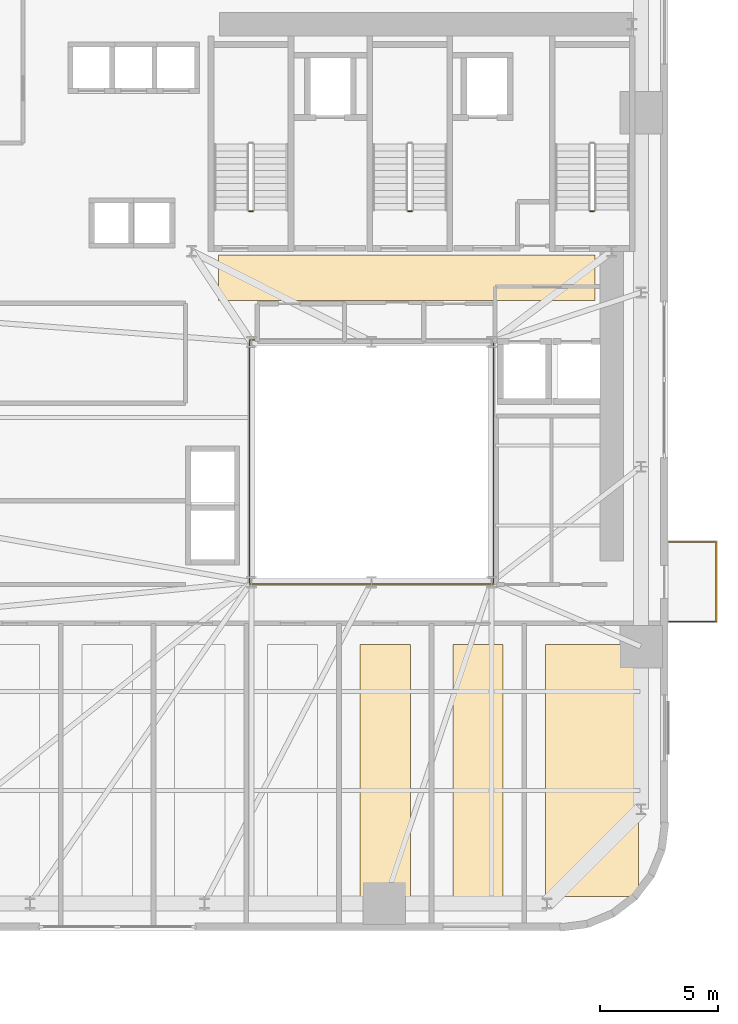
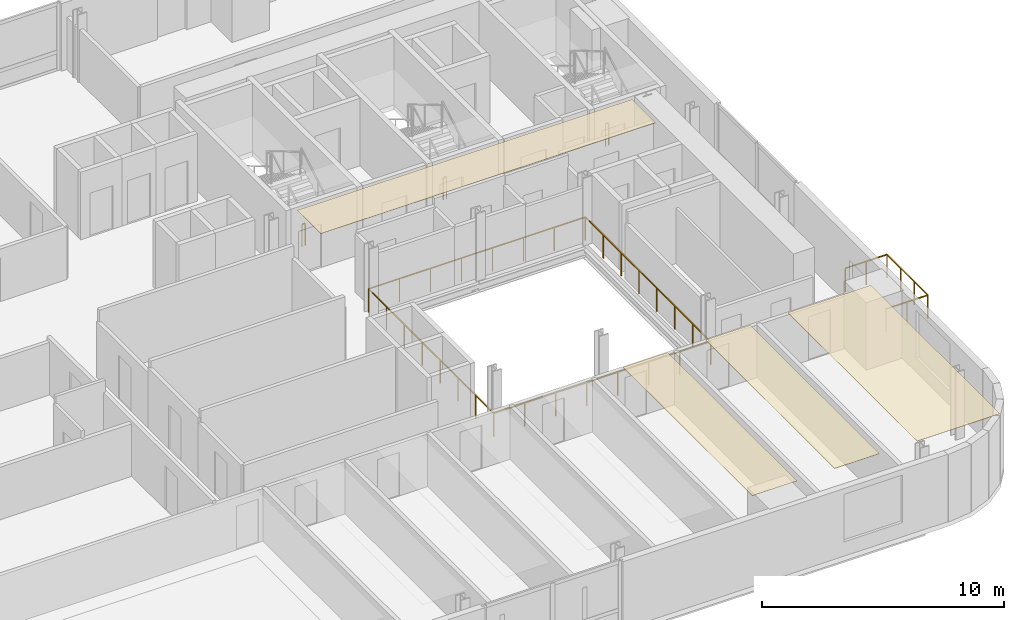
# One storey, part 11 of 13: 5 railings, 4 coverings.
"""IFC4 building model written with IfcOpenShell, lengths in metres."""

from ifc_helpers import new_model, si_unit, direction, frame, origin, origin_2d, place, context, subcontext, project, spatial, polyline, rectangle, outline, extrude, source, transform, mapped, material, layer, layer_set, type_object, element, save


model = new_model("IFC4")

# Units and contexts
model_context = context("Model", 3, precision=1e-05, world=origin(), true_north=direction((0.0, 1.0)))
body_context = subcontext(model_context, "Body", "Model", "MODEL_VIEW")
ifc_project = project(units=[si_unit("LENGTHUNIT", "METRE"), si_unit("AREAUNIT", "SQUARE_METRE"), si_unit("VOLUMEUNIT", "CUBIC_METRE"), si_unit("PLANEANGLEUNIT", "RADIAN"), si_unit("MASSUNIT", "GRAM", prefix="KILO")], contexts=[model_context])

# Site, building, storey
site_placement = place(None, origin())
site = spatial("IfcSite", under=ifc_project, at=site_placement, CompositionType="ELEMENT")
building_placement = place(site_placement, origin())
building = spatial("IfcBuilding", under=site, at=building_placement, Name="Vardaveli Station Tower", CompositionType="ELEMENT")
storey_placement = place(building_placement, frame((0.0, 0.0, 56.800048828125)))
storey = spatial("IfcBuildingStorey", under=building, at=storey_placement, Name="L14", CompositionType="ELEMENT", Elevation=56.800048828125)

# Coverings
ifc_material_1 = material(Name="Perforated acoustic mineral ceiling")
ifc_layer = layer(ifc_material_1, 0.02001953125, Name="Perforated acoustic mineral ceiling")
ifc_layer_set = layer_set([ifc_layer], Name="Perforated acoustic mineral ceiling")
covering_type = type_object("IfcCoveringType", Name="COV-CEIL-AC20", PredefinedType="CEILING", material=ifc_layer_set)
covering_1_placement = place(storey_placement, frame((0.0, 0.0, 3.39501953125)))
element("IfcCovering", 1, at=covering_1_placement, inside=storey, type_object=covering_type, Name="CEIL-L14-6", PredefinedType="CEILING", context=body_context, shape_type="SweptSolid", body=[
    extrude(outline(polyline([(35.81494140625, 3.25), (37.951171875, 3.25), (37.951171875, 13.949951171875), (35.81494140625, 13.949951171875), (35.81494140625, 3.25)])), origin(), (0.0, 0.0, 1.0), 0.02001953125),
])
covering_2_placement = place(storey_placement, frame((0.0, 0.0, 3.39501953125)))
element("IfcCovering", 2, at=covering_2_placement, inside=storey, type_object=covering_type, Name="CEIL-L14-7", PredefinedType="CEILING", context=body_context, shape_type="SweptSolid", body=[
    extrude(outline(polyline([(39.751220703125, 3.25), (41.887451171875, 3.25), (41.887451171875, 13.949951171875), (39.751220703125, 13.949951171875), (39.751220703125, 3.25)])), origin(), (0.0, 0.0, 1.0), 0.02001953125),
])
covering_3_placement = place(storey_placement, frame((0.0, 0.0, 3.39501953125)))
element("IfcCovering", 3, at=covering_3_placement, inside=storey, type_object=covering_type, Name="CEIL-L14-8", PredefinedType="CEILING", context=body_context, shape_type="SweptSolid", body=[
    extrude(outline(polyline([(43.6875, 3.25), (47.64990234375, 3.25), (47.64990234375, 13.949951171875), (43.6875, 13.949951171875), (43.6875, 3.25)])), origin(), (0.0, 0.0, 1.0), 0.02001953125),
])
covering_4_placement = place(storey_placement, frame((0.0, 0.0, 3.39501953125)))
element("IfcCovering", 4, at=covering_4_placement, inside=storey, type_object=covering_type, Name="CEIL-L14-9", PredefinedType="CEILING", context=body_context, shape_type="SweptSolid", body=[
    extrude(outline(polyline([(29.800048828125, 28.550048828125), (45.800048828125, 28.550048828125), (45.800048828125, 30.5), (29.800048828125, 30.5), (29.800048828125, 28.550048828125)])), origin(), (0.0, 0.0, 1.0), 0.02001953125),
])

# Railings
ifc_material_2 = material(Name="Laminated glass and stainless steel balustrade", Category="steel")
railing_type_1 = type_object("IfcRailingType", Name="RL-BAL-1200", PredefinedType="BALUSTRADE", material=ifc_material_2)
shared_shape_1 = source(origin(), body_context, "Body", "SweptSolid", [
    extrude(rectangle(XDim=0.048095703125, YDim=0.048095703125, at=origin_2d()), frame((0.0, 0.0, 1.17578125), z_axis=(1.0, 0.0, 0.0), x_axis=(0.0, 1.0, 0.0)), (0.0, 0.0, 1.0), 2.0),
    extrude(rectangle(XDim=0.048095703125, YDim=0.048095703125, at=origin_2d()), frame((2.0, 0.0, 1.17578125), z_axis=(0.0, 1.0, 0.0), x_axis=(-1.0, 0.0, 0.0)), (0.0, 0.0, 1.0), 3.3798828125),
    extrude(rectangle(XDim=0.048095703125, YDim=0.048095703125, at=origin_2d()), frame((2.0, 3.3798828125, 1.17578125), z_axis=(-1.0, 0.0, 0.0), x_axis=(0.0, -1.0, 0.0)), (0.0, 0.0, 1.0), 2.0),
    extrude(rectangle(XDim=0.0419921875, YDim=0.0419921875, at=origin_2d()), origin(), (0.0, 0.0, 1.0), 1.15185546875),
    extrude(rectangle(XDim=0.0419921875, YDim=0.0419921875, at=origin_2d()), frame((1.0, 0.0, 0.0)), (0.0, 0.0, 1.0), 1.15185546875),
    extrude(rectangle(XDim=0.0419921875, YDim=0.0419921875, at=origin_2d()), frame((2.0, 0.0, 0.0)), (0.0, 0.0, 1.0), 1.15185546875),
    extrude(rectangle(XDim=0.0419921875, YDim=0.0419921875, at=origin_2d()), frame((2.0, 1.126708984375, 0.0)), (0.0, 0.0, 1.0), 1.15185546875),
    extrude(rectangle(XDim=0.0419921875, YDim=0.0419921875, at=origin_2d()), frame((2.0, 2.253173828125, 0.0)), (0.0, 0.0, 1.0), 1.15185546875),
    extrude(rectangle(XDim=0.0419921875, YDim=0.0419921875, at=origin_2d()), frame((2.0, 3.3798828125, 0.0)), (0.0, 0.0, 1.0), 1.15185546875),
    extrude(rectangle(XDim=0.0419921875, YDim=0.0419921875, at=origin_2d()), frame((1.0, 3.3798828125, 0.0)), (0.0, 0.0, 1.0), 1.15185546875),
    extrude(rectangle(XDim=0.0419921875, YDim=0.0419921875, at=origin_2d()), frame((0.0, 3.3798828125, 0.0)), (0.0, 0.0, 1.0), 1.15185546875),
])
railing_1_placement = place(storey_placement, frame((48.93994140625, 14.92041015625, 0.0)))
element("IfcRailing", 5, at=railing_1_placement, inside=storey, type_object=railing_type_1, Name="RL-LOG-L14-04", PredefinedType="BALUSTRADE", context=body_context, shape_type="MappedRepresentation", body=[
    mapped(shared_shape_1, transform((0.0, 0.0, 0.0), scale=1.0)),
])
ifc_material_3 = material(Name="Brushed AISI 316 stainless steel", Category="steel")
railing_type_2 = type_object("IfcRailingType", Name="RL-GUARD-1150", PredefinedType="GUARDRAIL", material=ifc_material_3)
shared_shape_2 = source(origin(), body_context, "Body", "SweptSolid", [
    extrude(rectangle(XDim=0.048095703125, YDim=0.048095703125, at=origin_2d()), frame((0.0, 0.0, 1.1259765625), z_axis=(-1.0, 0.0, 0.0), x_axis=(0.0, -1.0, 0.0)), (0.0, 0.0, 1.0), 0.14990234375),
    extrude(rectangle(XDim=0.0419921875, YDim=0.0419921875, at=origin_2d()), origin(), (0.0, 0.0, 1.0), 1.101806640625),
    extrude(rectangle(XDim=0.0419921875, YDim=0.0419921875, at=origin_2d()), frame((-0.14990234375, 0.0, 0.0)), (0.0, 0.0, 1.0), 1.101806640625),
])
for number, where, name in (
    (6, (31.25, 32.35009765625, 0.0), "L14 ST-1 stair guard 4"),
    (7, (38.0, 32.35009765625, 0.0), "L14 ST-2 stair guard 4"),
    (8, (45.75, 32.35009765625, 0.0), "L14 ST-3 stair guard 4"),
):
    element("IfcRailing", number, at=place(storey_placement, frame(where)), inside=storey, type_object=railing_type_2, Name=name, PredefinedType="GUARDRAIL", context=body_context, shape_type="MappedRepresentation", body=[
        mapped(shared_shape_2, transform((0.0, 0.0, 0.0), scale=1.0)),
    ])
shared_shape_3 = source(origin(), body_context, "Body", "SweptSolid", [
    extrude(rectangle(XDim=0.048095703125, YDim=0.048095703125, at=origin_2d()), frame((0.0, 0.0, 1.17578125), z_axis=(1.0, 0.0, 0.0), x_axis=(0.0, 1.0, 0.0)), (0.0, 0.0, 1.0), 10.35986328125),
    extrude(rectangle(XDim=0.048095703125, YDim=0.048095703125, at=origin_2d()), frame((10.35986328125, 0.0, 1.17578125), z_axis=(0.0, 1.0, 0.0), x_axis=(-1.0, 0.0, 0.0)), (0.0, 0.0, 1.0), 10.35986328125),
    extrude(rectangle(XDim=0.048095703125, YDim=0.048095703125, at=origin_2d()), frame((10.35986328125, 10.35986328125, 1.17578125), z_axis=(-1.0, 0.0, 0.0), x_axis=(0.0, -1.0, 0.0)), (0.0, 0.0, 1.0), 10.35986328125),
    extrude(rectangle(XDim=0.048095703125, YDim=0.048095703125, at=origin_2d()), frame((0.0, 10.35986328125, 1.17578125), z_axis=(0.0, -1.0, 0.0), x_axis=(1.0, 0.0, 0.0)), (0.0, 0.0, 1.0), 10.35986328125),
    extrude(rectangle(XDim=0.0419921875, YDim=0.0419921875, at=origin_2d()), origin(), (0.0, 0.0, 1.0), 1.15185546875),
    extrude(rectangle(XDim=0.0419921875, YDim=0.0419921875, at=origin_2d()), frame((1.47998046875, 0.0, 0.0)), (0.0, 0.0, 1.0), 1.15185546875),
    extrude(rectangle(XDim=0.0419921875, YDim=0.0419921875, at=origin_2d()), frame((2.9599609375, 0.0, 0.0)), (0.0, 0.0, 1.0), 1.15185546875),
    extrude(rectangle(XDim=0.0419921875, YDim=0.0419921875, at=origin_2d()), frame((4.43994140625, 0.0, 0.0)), (0.0, 0.0, 1.0), 1.15185546875),
    extrude(rectangle(XDim=0.0419921875, YDim=0.0419921875, at=origin_2d()), frame((5.919921875, 0.0, 0.0)), (0.0, 0.0, 1.0), 1.15185546875),
    extrude(rectangle(XDim=0.0419921875, YDim=0.0419921875, at=origin_2d()), frame((7.39990234375, 0.0, 0.0)), (0.0, 0.0, 1.0), 1.15185546875),
    extrude(rectangle(XDim=0.0419921875, YDim=0.0419921875, at=origin_2d()), frame((8.8798828125, 0.0, 0.0)), (0.0, 0.0, 1.0), 1.15185546875),
    extrude(rectangle(XDim=0.0419921875, YDim=0.0419921875, at=origin_2d()), frame((10.35986328125, 0.0, 0.0)), (0.0, 0.0, 1.0), 1.15185546875),
    extrude(rectangle(XDim=0.0419921875, YDim=0.0419921875, at=origin_2d()), frame((10.35986328125, 1.47998046875, 0.0)), (0.0, 0.0, 1.0), 1.15185546875),
    extrude(rectangle(XDim=0.0419921875, YDim=0.0419921875, at=origin_2d()), frame((10.35986328125, 2.9599609375, 0.0)), (0.0, 0.0, 1.0), 1.15185546875),
    extrude(rectangle(XDim=0.0419921875, YDim=0.0419921875, at=origin_2d()), frame((10.35986328125, 4.43994140625, 0.0)), (0.0, 0.0, 1.0), 1.15185546875),
    extrude(rectangle(XDim=0.0419921875, YDim=0.0419921875, at=origin_2d()), frame((10.35986328125, 5.919921875, 0.0)), (0.0, 0.0, 1.0), 1.15185546875),
    extrude(rectangle(XDim=0.0419921875, YDim=0.0419921875, at=origin_2d()), frame((10.35986328125, 7.39990234375, 0.0)), (0.0, 0.0, 1.0), 1.15185546875),
    extrude(rectangle(XDim=0.0419921875, YDim=0.0419921875, at=origin_2d()), frame((10.35986328125, 8.8798828125, 0.0)), (0.0, 0.0, 1.0), 1.15185546875),
    extrude(rectangle(XDim=0.0419921875, YDim=0.0419921875, at=origin_2d()), frame((10.35986328125, 10.35986328125, 0.0)), (0.0, 0.0, 1.0), 1.15185546875),
    extrude(rectangle(XDim=0.0419921875, YDim=0.0419921875, at=origin_2d()), frame((8.8798828125, 10.35986328125, 0.0)), (0.0, 0.0, 1.0), 1.15185546875),
    extrude(rectangle(XDim=0.0419921875, YDim=0.0419921875, at=origin_2d()), frame((7.39990234375, 10.35986328125, 0.0)), (0.0, 0.0, 1.0), 1.15185546875),
    extrude(rectangle(XDim=0.0419921875, YDim=0.0419921875, at=origin_2d()), frame((5.919921875, 10.35986328125, 0.0)), (0.0, 0.0, 1.0), 1.15185546875),
    extrude(rectangle(XDim=0.0419921875, YDim=0.0419921875, at=origin_2d()), frame((4.43994140625, 10.35986328125, 0.0)), (0.0, 0.0, 1.0), 1.15185546875),
    extrude(rectangle(XDim=0.0419921875, YDim=0.0419921875, at=origin_2d()), frame((2.9599609375, 10.35986328125, 0.0)), (0.0, 0.0, 1.0), 1.15185546875),
    extrude(rectangle(XDim=0.0419921875, YDim=0.0419921875, at=origin_2d()), frame((1.47998046875, 10.35986328125, 0.0)), (0.0, 0.0, 1.0), 1.15185546875),
    extrude(rectangle(XDim=0.0419921875, YDim=0.0419921875, at=origin_2d()), frame((0.0, 10.35986328125, 0.0)), (0.0, 0.0, 1.0), 1.15185546875),
    extrude(rectangle(XDim=0.0419921875, YDim=0.0419921875, at=origin_2d()), frame((0.0, 8.8798828125, 0.0)), (0.0, 0.0, 1.0), 1.15185546875),
    extrude(rectangle(XDim=0.0419921875, YDim=0.0419921875, at=origin_2d()), frame((0.0, 7.39990234375, 0.0)), (0.0, 0.0, 1.0), 1.15185546875),
    extrude(rectangle(XDim=0.0419921875, YDim=0.0419921875, at=origin_2d()), frame((0.0, 5.919921875, 0.0)), (0.0, 0.0, 1.0), 1.15185546875),
    extrude(rectangle(XDim=0.0419921875, YDim=0.0419921875, at=origin_2d()), frame((0.0, 4.43994140625, 0.0)), (0.0, 0.0, 1.0), 1.15185546875),
    extrude(rectangle(XDim=0.0419921875, YDim=0.0419921875, at=origin_2d()), frame((0.0, 2.9599609375, 0.0)), (0.0, 0.0, 1.0), 1.15185546875),
    extrude(rectangle(XDim=0.0419921875, YDim=0.0419921875, at=origin_2d()), frame((0.0, 1.47998046875, 0.0)), (0.0, 0.0, 1.0), 1.15185546875),
])
railing_2_placement = place(storey_placement, frame((31.1201171875, 16.52001953125, 0.0)))
element("IfcRailing", 9, at=railing_2_placement, inside=storey, type_object=railing_type_1, Name="RL-ATR-L14", PredefinedType="BALUSTRADE", context=body_context, shape_type="MappedRepresentation", body=[
    mapped(shared_shape_3, transform((0.0, 0.0, 0.0), scale=1.0)),
])

save(model, "model.ifc")
